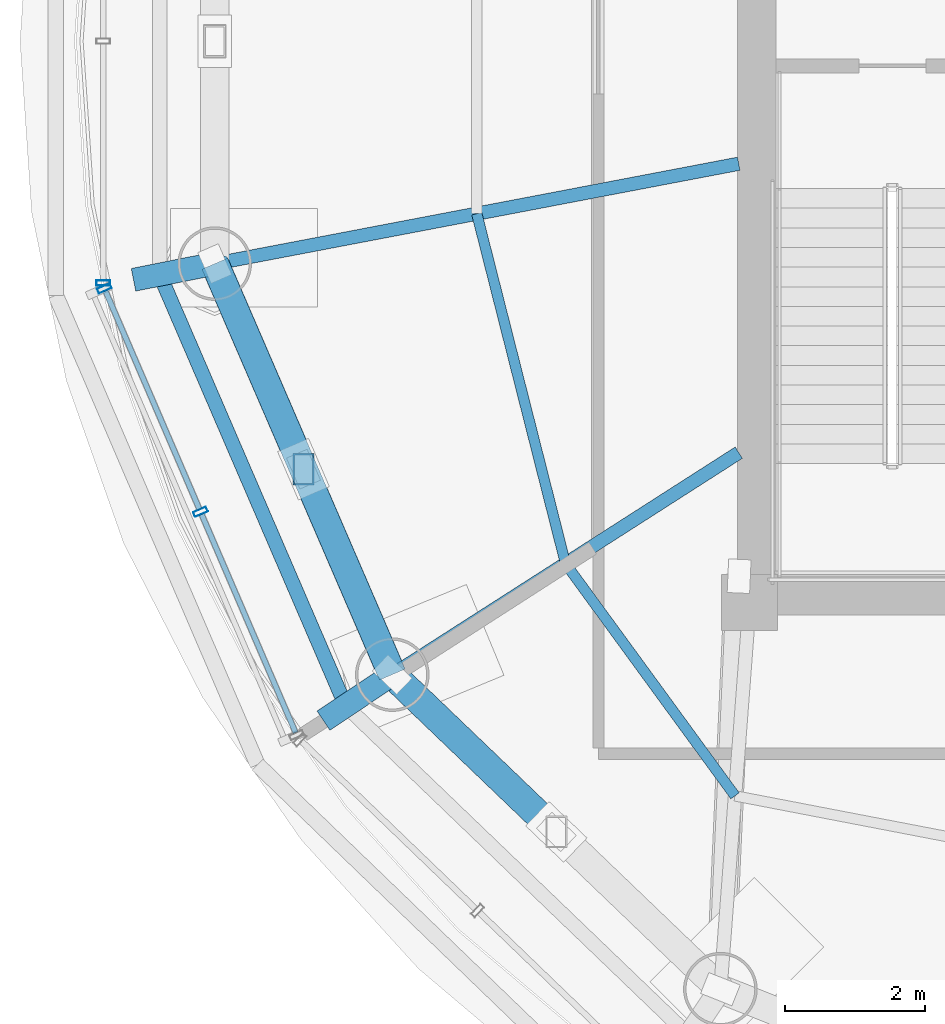
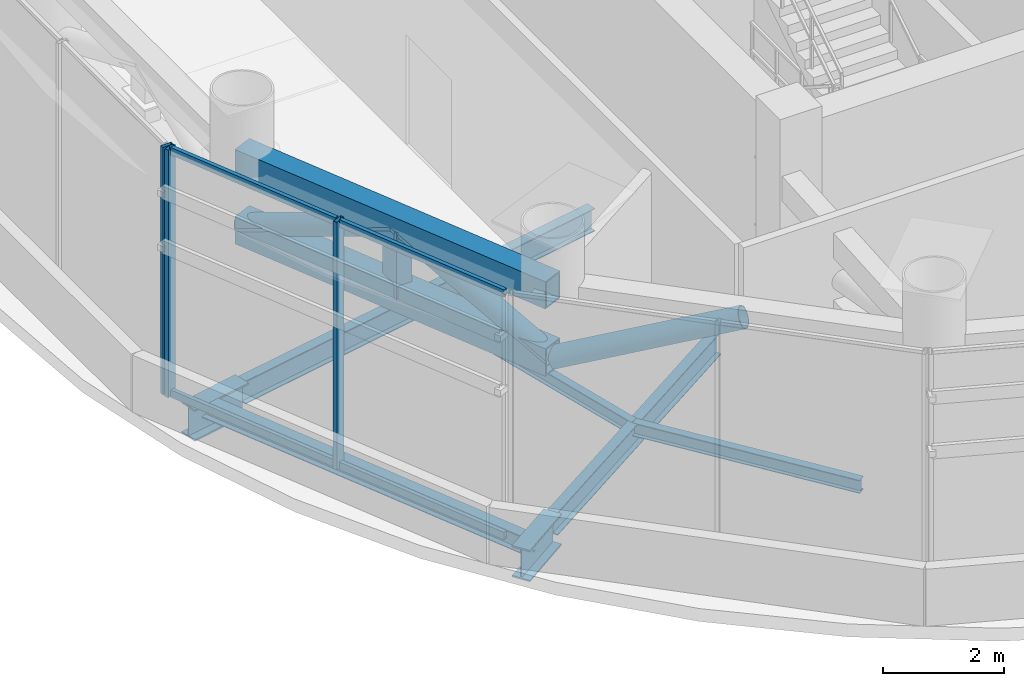
# One storey, part 3 of 21: 13 members, 7 beams, 2 elements without a shape of their own.
"""IFC4 building model written with IfcOpenShell, lengths in metres."""

import ifcopenshell
import ifcopenshell.guid

model = None  # the IFC model being written
_history = None  # IfcOwnerHistory: only IFC2X3 demands one
_inside = {}  # id of a spatial element -> (the spatial element, [elements in it])
_under = {}  # id of a project, library or spatial element -> (it, [spatial elements below it])
_declared = {}  # id of a project -> (the project, [libraries it declares])
_typed = {}  # id of a type object -> (the type object, [elements of that type])
_made_of = {}  # id of a material, layer set ... -> (it, [elements and type objects made of it])


def new_model(schema):
    """Start an empty IFC model of exactly this schema.

    Asked for "IFC4X3", IfcOpenShell would pick the latest addendum, in which some entities
    have other attributes; the version numbers below select the first issue.
    IFC2X3 requires an IfcOwnerHistory on every rooted entity: one is made here for all.
    """
    global model, _history
    if schema == "IFC4X3":
        model = ifcopenshell.file(schema_version=(4, 3, 0, 0))
    else:
        model = ifcopenshell.file(schema=schema)
    _inside.clear()
    _under.clear()
    _declared.clear()
    _typed.clear()
    _made_of.clear()
    _history = None
    if model.schema == "IFC2X3":
        org = make("IfcOrganization", Name="unknown")
        user = make(
            "IfcPersonAndOrganization",
            ThePerson=make("IfcPerson", FamilyName="unknown"),
            TheOrganization=org,
        )
        app = make(
            "IfcApplication",
            ApplicationDeveloper=org,
            Version="unknown",
            ApplicationFullName="unknown",
            ApplicationIdentifier="unknown",
        )
        _history = make(
            "IfcOwnerHistory",
            OwningUser=user,
            OwningApplication=app,
            ChangeAction="ADDED",
            CreationDate=0,
        )
    return model


def make(cls, **values):
    """One entity of the class cls with the attributes given. An attribute that is None is left unset."""
    return model.create_entity(
        cls, **{name: value for name, value in values.items() if value is not None}
    )


def rooted(cls, **values):
    """An entity with a GlobalId (a new one), such as an element, a storey or a relation."""
    return make(cls, GlobalId=ifcopenshell.guid.new(), OwnerHistory=_history, **values)


def si_unit(unit_type, name, prefix=None):
    """IfcSIUnit, for example si_unit("LENGTHUNIT", "METRE", prefix="MILLI")."""
    return make("IfcSIUnit", UnitType=unit_type, Prefix=prefix, Name=name)


def assignment(units):
    """IfcUnitAssignment: the units of a project."""
    return None if units is None else make("IfcUnitAssignment", Units=units)


def point(xyz):
    """IfcCartesianPoint."""
    return None if xyz is None else make("IfcCartesianPoint", Coordinates=xyz)


def direction(xyz):
    """IfcDirection."""
    return None if xyz is None else make("IfcDirection", DirectionRatios=xyz)


def frame(location, z_axis=None, x_axis=None):
    """IfcAxis2Placement3D, a coordinate frame: its origin and axes. An axis left out is left unset."""
    return make(
        "IfcAxis2Placement3D",
        Location=point(location),
        Axis=direction(z_axis),
        RefDirection=direction(x_axis),
    )


def frame_2d(location, x_axis=None):
    """IfcAxis2Placement2D, a coordinate frame in the plane: its origin and x axis."""
    return make(
        "IfcAxis2Placement2D", Location=point(location), RefDirection=direction(x_axis)
    )


def origin():
    """The frame at (0, 0, 0) with its axes left unset."""
    return frame((0.0, 0.0, 0.0))


def origin_2d():
    """The frame at (0, 0) in the plane with its x axis left unset."""
    return frame_2d((0.0, 0.0))


def place(relative_to, where):
    """IfcLocalPlacement: puts the frame where relative to a parent placement (None: the world)."""
    return make(
        "IfcLocalPlacement", PlacementRelTo=relative_to, RelativePlacement=where
    )


def context(
    kind, dimensions, precision=None, world=None, true_north=None, identifier=None
):
    """IfcGeometricRepresentationContext, for example the 3D "Model" context."""
    return make(
        "IfcGeometricRepresentationContext",
        ContextIdentifier=identifier,
        ContextType=kind,
        CoordinateSpaceDimension=dimensions,
        Precision=precision,
        WorldCoordinateSystem=world,
        TrueNorth=true_north,
    )


def subcontext(parent, identifier, kind, view, scale=None):
    """IfcGeometricRepresentationSubContext, for example "Body" below "Model"."""
    return make(
        "IfcGeometricRepresentationSubContext",
        ContextIdentifier=identifier,
        ContextType=kind,
        ParentContext=parent,
        TargetScale=scale,
        TargetView=view,
    )


def project(units=None, contexts=None):
    """IfcProject with its units and contexts."""
    return rooted(
        "IfcProject",
        Name="project",
        RepresentationContexts=contexts,
        UnitsInContext=assignment(units),
    )


def spatial(cls, under=None, at=None, **own):
    """A site, building, storey or space (cls), placed at a placement, below another one or the project."""
    s = rooted(cls, ObjectPlacement=at, **own)
    if under is not None:
        _under.setdefault(under.id(), (under, []))[1].append(s)
    return s


def profile(cls, at=None, kind="AREA", **sizes):
    """A parametric profile (cls). Its sizes go by their IFC names, for example OverallWidth=200.0."""
    return make(cls, ProfileType=kind, Position=at, **sizes)


def hollow_rectangle(**sizes):
    """IfcRectangleHollowProfileDef."""
    return profile("IfcRectangleHollowProfileDef", **sizes)


def hollow_circle(**sizes):
    """IfcCircleHollowProfileDef."""
    return profile("IfcCircleHollowProfileDef", **sizes)


def i_section(**sizes):
    """IfcIShapeProfileDef."""
    return profile("IfcIShapeProfileDef", **sizes)


def extrude(swept, where, along, depth):
    """IfcExtrudedAreaSolid: the profile swept, set in the frame where, extruded along a direction by depth."""
    return make(
        "IfcExtrudedAreaSolid",
        SweptArea=swept,
        Position=where,
        ExtrudedDirection=direction(along),
        Depth=depth,
    )


def shape(context_of_items, identifier, shape_type, items):
    """IfcShapeRepresentation: the items that make up one representation, for example the "Body"."""
    return make(
        "IfcShapeRepresentation",
        ContextOfItems=context_of_items,
        RepresentationIdentifier=identifier,
        RepresentationType=shape_type,
        Items=items,
    )


def source(mapping_origin, context_of_items, identifier, shape_type, items):
    """IfcRepresentationMap: a shape defined once, which mapped items show again and again."""
    return make(
        "IfcRepresentationMap",
        MappingOrigin=mapping_origin,
        MappedRepresentation=shape(context_of_items, identifier, shape_type, items),
    )


def transform(
    local_origin,
    x_axis=None,
    y_axis=None,
    z_axis=None,
    scale=None,
    scale2=None,
    scale3=None,
    uniform=True,
):
    """IfcCartesianTransformationOperator3D, or its non-uniform kind. x_axis, y_axis, z_axis: its Axis1, 2, 3."""
    if uniform:
        return make(
            "IfcCartesianTransformationOperator3D",
            Axis1=direction(x_axis),
            Axis2=direction(y_axis),
            LocalOrigin=point(local_origin),
            Scale=scale,
            Axis3=direction(z_axis),
        )
    return make(
        "IfcCartesianTransformationOperator3DnonUniform",
        Axis1=direction(x_axis),
        Axis2=direction(y_axis),
        LocalOrigin=point(local_origin),
        Scale=scale,
        Axis3=direction(z_axis),
        Scale2=scale2,
        Scale3=scale3,
    )


def mapped(mapping_source, mapping_target):
    """IfcMappedItem: shows the shape of a source again, moved by a transform."""
    return make(
        "IfcMappedItem", MappingSource=mapping_source, MappingTarget=mapping_target
    )


def material(Name=None, Category=None):
    """IfcMaterial."""
    return make("IfcMaterial", Name=Name, Category=Category)


def material_profile(
    of_material, cross_section, Name=None, Category=None, Priority=None
):
    """IfcMaterialProfile: a cross section and its material."""
    return make(
        "IfcMaterialProfile",
        Name=Name,
        Material=of_material,
        Profile=cross_section,
        Priority=Priority,
        Category=Category,
    )


def profile_set(profiles, Name=None, composite=None):
    """IfcMaterialProfileSet."""
    return make(
        "IfcMaterialProfileSet",
        Name=Name,
        MaterialProfiles=profiles,
        CompositeProfile=composite,
    )


def made_of(thing, what):
    """Note that an element or type object is made of a material, layer set ...; save() writes the relation."""
    if what is not None:
        _made_of.setdefault(what.id(), (what, []))[1].append(thing)
    return thing


def type_object(cls, material=None, **own):
    """A type object (cls), such as IfcWallType, which elements share."""
    return made_of(rooted(cls, **own), material)


def element(
    cls,
    number,
    at=None,
    inside=None,
    cuts=None,
    type_object=None,
    material=None,
    context=None,
    identifier="Body",
    shape_type=None,
    held_by="IfcProductDefinitionShape",
    body=None,
    shapes=None,
    **own,
):
    """One element of the class cls, such as IfcWall. Its Tag is "e" and its number.

    at: its placement. inside: the storey or other place that contains it. cuts: it is an
    opening in that element (IfcRelVoidsElement). A single representation is given by context,
    identifier, shape_type and body (its items); several are given by shapes. held_by: the class
    of the entity that holds the representations. save() writes the other relations.
    """
    e = rooted(cls, Tag="e%d" % number, ObjectPlacement=at, **own)
    if body is not None:
        shapes = [shape(context, identifier, shape_type, body)]
    if shapes is not None:
        e.Representation = make(held_by, Representations=shapes)
    if inside is not None:
        _inside.setdefault(inside.id(), (inside, []))[1].append(e)
    if cuts is not None:
        rooted(
            "IfcRelVoidsElement", RelatingBuildingElement=cuts, RelatedOpeningElement=e
        )
    if type_object is not None:
        _typed.setdefault(type_object.id(), (type_object, []))[1].append(e)
    return made_of(e, material)


def aggregate(whole, parts):
    """IfcRelAggregates: a whole, such as a stair, and the parts it consists of."""
    return rooted("IfcRelAggregates", RelatingObject=whole, RelatedObjects=parts)


def save(model, path):
    """Write the relations noted so far, then the file.

    IfcRelAggregates (storeys below a building ...), IfcRelContainedInSpatialStructure (elements
    in a storey), IfcRelDefinesByType, IfcRelAssociatesMaterial and IfcRelDeclares: one each for
    every whole, place, type object, material and project.
    """
    for whole, parts in _under.values():
        aggregate(whole, parts)
    for where, things in _inside.values():
        rooted(
            "IfcRelContainedInSpatialStructure",
            RelatedElements=things,
            RelatingStructure=where,
        )
    for kind, things in _typed.values():
        rooted("IfcRelDefinesByType", RelatedObjects=things, RelatingType=kind)
    for what, things in _made_of.values():
        rooted("IfcRelAssociatesMaterial", RelatedObjects=things, RelatingMaterial=what)
    for by, libraries in _declared.values():
        rooted("IfcRelDeclares", RelatingContext=by, RelatedDefinitions=libraries)
    model.write(path)


model = new_model("IFC4")

# Units and contexts
model_context = context("Model", 3, precision=1e-05, world=origin(), true_north=direction((-0.2419218956, 0.970295726276)))
body_context = subcontext(model_context, "Body", "Model", "MODEL_VIEW")
ifc_project = project(units=[si_unit("LENGTHUNIT", "METRE"), si_unit("AREAUNIT", "SQUARE_METRE"), si_unit("VOLUMEUNIT", "CUBIC_METRE"), si_unit("PLANEANGLEUNIT", "RADIAN"), si_unit("MASSUNIT", "GRAM", prefix="KILO")], contexts=[model_context])

# Site, building, storey
site_placement = place(None, origin())
site = spatial("IfcSite", under=ifc_project, at=site_placement, CompositionType="ELEMENT")
building_placement = place(site_placement, origin())
building = spatial("IfcBuilding", under=site, at=building_placement, Name="Cobrevalo Terracotta Tower", CompositionType="ELEMENT")
storey_placement = place(building_placement, frame((0.0, 0.0, 300.699951171875)))
storey = spatial("IfcBuildingStorey", under=building, at=storey_placement, Name="L79", CompositionType="ELEMENT", Elevation=300.699951171875)

# Beams
ifc_material_1 = material(Name="Steel S355", Category="steel")
ifc_material_profile_1 = material_profile(ifc_material_1, i_section(OverallWidth=0.19091796875, OverallDepth=0.4599609375, WebThickness=0.010009765625, FlangeThickness=0.01611328125, at=origin_2d()), Name="W 460x82")
ifc_profile_set_1 = profile_set([ifc_material_profile_1], Name="Steel S355")
beam_type_1 = type_object("IfcBeamType", Name="Structural Beam W 460x82 (Steel S355)", PredefinedType="BEAM", material=ifc_profile_set_1)
beam_1_placement = place(storey_placement, frame((21.375732421875, 23.6298828125, -0.679931640625), z_axis=(0.982299763282, 0.187315709583, 0.0), x_axis=(-0.187315709583, 0.982299763282, 0.0)))
element("IfcBeam", 1, at=beam_1_placement, inside=storey, type_object=beam_type_1, Name="L79 radial floor girder 09", PredefinedType="BEAM", context=body_context, shape_type="SweptSolid", body=[
    extrude(i_section(OverallWidth=0.19091796875, OverallDepth=0.4599609375, WebThickness=0.010009765625, FlangeThickness=0.01611328125, at=origin_2d()), origin(), (0.0, 0.0, 1.0), 7.603759765625),
])
beam_2_placement = place(storey_placement, frame((23.906494140625, 17.77197265625, -0.679931640625), z_axis=(0.842043011216, 0.539410388538, 0.0), x_axis=(-0.539410388538, 0.842043011216, 0.0)))
element("IfcBeam", 2, at=beam_2_placement, inside=storey, type_object=beam_type_1, Name="L79 radial floor girder 10", PredefinedType="BEAM", context=body_context, shape_type="SweptSolid", body=[
    extrude(i_section(OverallWidth=0.19091796875, OverallDepth=0.4599609375, WebThickness=0.010009765625, FlangeThickness=0.01611328125, at=origin_2d()), origin(), (0.0, 0.0, 1.0), 5.864990234375),
])
ifc_material_profile_2 = material_profile(ifc_material_1, i_section(OverallWidth=0.3291015625, OverallDepth=0.635009765625, WebThickness=0.017822265625, FlangeThickness=0.031005859375, at=origin_2d()), Name="W 610x241")
ifc_profile_set_2 = profile_set([ifc_material_profile_2], Name="Steel S355")
beam_type_2 = type_object("IfcBeamType", Name="Structural Beam W 610x241 (Steel S355)", PredefinedType="BEAM", material=ifc_profile_set_2)
beam_3_placement = place(storey_placement, frame((20.21826171875, 23.399658203125, -0.767333984375), z_axis=(0.980787003584, 0.195081658802, 0.0), x_axis=(-0.195081658802, 0.980787003584, 0.0)))
element("IfcBeam", 3, at=beam_3_placement, inside=storey, type_object=beam_type_2, Name="L79 setback step-link girder 09", PredefinedType="BEAM", context=body_context, shape_type="SweptSolid", body=[
    extrude(i_section(OverallWidth=0.3291015625, OverallDepth=0.635009765625, WebThickness=0.017822265625, FlangeThickness=0.031005859375, at=origin_2d()), origin(), (0.0, 0.0, 1.0), 1.18017578125),
])
beam_4_placement = place(storey_placement, frame((22.925537109375, 17.116455078125, -0.767333984375), z_axis=(0.831444927207, 0.5556071751, 0.0), x_axis=(-0.5556071751, 0.831444927207, 0.0)))
element("IfcBeam", 4, at=beam_4_placement, inside=storey, type_object=beam_type_2, Name="L79 setback step-link girder 10", PredefinedType="BEAM", context=body_context, shape_type="SweptSolid", body=[
    extrude(i_section(OverallWidth=0.3291015625, OverallDepth=0.635009765625, WebThickness=0.017822265625, FlangeThickness=0.031005859375, at=origin_2d()), origin(), (0.0, 0.0, 1.0), 1.179931640625),
])
ifc_material_profile_3 = material_profile(ifc_material_1, i_section(OverallWidth=0.14794921875, OverallDepth=0.26611328125, WebThickness=0.007568359375, FlangeThickness=0.012939453125, at=origin_2d()), Name="W 250x44.8")
ifc_profile_set_3 = profile_set([ifc_material_profile_3], Name="Steel S355")
beam_type_3 = type_object("IfcBeamType", Name="Structural Joist W 250x44.8 (Steel S355)", PredefinedType="JOIST", material=ifc_profile_set_3)
beam_5_placement = place(storey_placement, frame((25.1103515625, 24.342041015625, -0.5830078125), z_axis=(0.24588290489, -0.969299539401, 0.0), x_axis=(0.969299539401, 0.24588290489, 0.0)))
element("IfcBeam", 5, at=beam_5_placement, inside=storey, type_object=beam_type_3, Name="L79 circumferential secondary floor joist 09", PredefinedType="JOIST", context=body_context, shape_type="SweptSolid", body=[
    extrude(i_section(OverallWidth=0.14794921875, OverallDepth=0.26611328125, WebThickness=0.007568359375, FlangeThickness=0.012939453125, at=origin_2d()), origin(), (0.0, 0.0, 1.0), 5.146240234375),
])
beam_6_placement = place(storey_placement, frame((26.375732421875, 19.353759765625, -0.5830078125), z_axis=(0.58957729745, -0.807711960003, 0.0), x_axis=(0.807711960003, 0.58957729745, 0.0)))
element("IfcBeam", 6, at=beam_6_placement, inside=storey, type_object=beam_type_3, Name="L79 circumferential secondary floor joist 10", PredefinedType="JOIST", context=body_context, shape_type="SweptSolid", body=[
    extrude(i_section(OverallWidth=0.14794921875, OverallDepth=0.26611328125, WebThickness=0.007568359375, FlangeThickness=0.012939453125, at=origin_2d()), origin(), (0.0, 0.0, 1.0), 4.097412109375),
])
ifc_material_profile_4 = material_profile(ifc_material_1, i_section(OverallWidth=0.205078125, OverallDepth=0.35400390625, WebThickness=0.009521484375, FlangeThickness=0.016845703125, at=origin_2d()), Name="W 360x79")
ifc_profile_set_4 = profile_set([ifc_material_profile_4], Name="Steel S355")
beam_type_4 = type_object("IfcBeamType", Name="Structural Spandrel W 360x79 (Steel S355)", PredefinedType="SPANDREL", material=ifc_profile_set_4)
beam_7_placement = place(storey_placement, frame((20.591064453125, 23.4736328125, -0.626953125), z_axis=(0.395987390706, -0.918255948198, 0.0), x_axis=(0.918255948198, 0.395987390706, 0.0)))
element("IfcBeam", 7, at=beam_7_placement, inside=storey, type_object=beam_type_4, Name="L79 perimeter ring spandrel 09", PredefinedType="SPANDREL", context=body_context, shape_type="SweptSolid", body=[
    extrude(i_section(OverallWidth=0.205078125, OverallDepth=0.35400390625, WebThickness=0.009521484375, FlangeThickness=0.016845703125, at=origin_2d()), origin(), (0.0, 0.0, 1.0), 6.693115234375),
])

# Members
ifc_material_profile_5 = material_profile(ifc_material_1, hollow_rectangle(XDim=0.39990234375, YDim=0.550048828125, WallThickness=0.02490234375, at=origin_2d()), Name="RHS 550x400x25")
ifc_profile_set_5 = profile_set([ifc_material_profile_5], Name="Steel S355")
member_type_1 = type_object("IfcMemberType", Name="Steel Chord RHS 550x400x25 (Steel S355)", PredefinedType="CHORD", material=ifc_profile_set_5)
shared_shape_1 = source(origin(), body_context, "Body", "SweptSolid", [
    extrude(hollow_rectangle(XDim=0.39990234375, YDim=0.550048828125, WallThickness=0.02490234375, at=origin_2d()), origin(), (0.0, 0.0, 1.0), 6.381103515625),
])
for number, where, z_axis, x_axis, name in (
    (8, (21.375732421875, 23.6298828125, 2.650146484375), (0.396595776552, -0.917993349661, 0.0), (0.917993349661, 0.396595776552, 0.0), "L79 belt truss chord 09-BC"),
    (9, (21.375732421875, 23.6298828125, 4.0), (0.396595776552, -0.917993349661, 0.0), (0.917993349661, 0.396595776552, 0.0), "L79 belt truss chord 09-TC"),
):
    element("IfcMember", number, at=place(storey_placement, frame(where, z_axis=z_axis, x_axis=x_axis)), inside=storey, type_object=member_type_1, Name=name, PredefinedType="CHORD", context=body_context, shape_type="MappedRepresentation", body=[
        mapped(shared_shape_1, transform((0.0, 0.0, 0.0), scale=1.0)),
    ])
ifc_material_profile_6 = material_profile(ifc_material_1, hollow_rectangle(XDim=0.300048828125, YDim=0.449951171875, WallThickness=0.02001953125, at=origin_2d()), Name="RHS 450x300x20")
ifc_profile_set_6 = profile_set([ifc_material_profile_6], Name="Steel S355")
member_type_2 = type_object("IfcMemberType", Name="Steel Post RHS 450x300x20 (Steel S355)", PredefinedType="POST", material=ifc_profile_set_6)
shared_shape_2 = source(origin(), body_context, "Body", "SweptSolid", [
    extrude(hollow_rectangle(XDim=0.300048828125, YDim=0.449951171875, WallThickness=0.02001953125, at=origin_2d()), origin(), (0.0, 0.0, 1.0), 1.349853515625),
])
member_1_placement = place(storey_placement, frame((22.64111328125, 20.700927734375, 2.650146484375), z_axis=(0.0, 0.0, 1.0), x_axis=(1.0, 0.0, 0.0)))
element("IfcMember", 10, at=member_1_placement, inside=storey, type_object=member_type_2, Name="L79 belt truss post 09", PredefinedType="POST", context=body_context, shape_type="MappedRepresentation", body=[
    mapped(shared_shape_2, transform((0.0, 0.0, 0.0), scale=1.0)),
])
ifc_material_profile_7 = material_profile(ifc_material_1, hollow_circle(Radius=0.202880859375, WallThickness=0.01611328125, at=origin_2d()), Name="CHS 406x16")
ifc_profile_set_7 = profile_set([ifc_material_profile_7], Name="Steel S355")
member_type_3 = type_object("IfcMemberType", Name="Steel Brace CHS 406x16 (Steel S355)", PredefinedType="BRACE", material=ifc_profile_set_7)
shared_shape_3 = source(origin(), body_context, "Body", "SweptSolid", [
    extrude(hollow_circle(Radius=0.202880859375, WallThickness=0.01611328125, at=origin_2d()), origin(), (0.0, 0.0, 1.0), 3.46435546875),
])
for number, where, z_axis, x_axis, name in (
    (11, (21.375732421875, 23.6298828125, 2.650146484375), (0.365252471752, -0.845443546905, 0.389635523117), (0.917993349661, 0.396595776552, 0.0), "L79 belt truss diagonal brace 09-D1"),
    (12, (23.906494140625, 17.77197265625, 2.650146484375), (-0.365252471752, 0.845443546905, 0.389635523117), (-0.917993349661, -0.396595776552, 0.0), "L79 belt truss diagonal brace 09-D2"),
):
    element("IfcMember", number, at=place(storey_placement, frame(where, z_axis=z_axis, x_axis=x_axis)), inside=storey, type_object=member_type_3, Name=name, PredefinedType="BRACE", context=body_context, shape_type="MappedRepresentation", body=[
        mapped(shared_shape_3, transform((0.0, 0.0, 0.0), scale=1.0)),
    ])
shared_shape_4 = source(origin(), body_context, "Body", "SweptSolid", [
    extrude(hollow_circle(Radius=0.202880859375, WallThickness=0.01611328125, at=origin_2d()), origin(), (0.0, 0.0, 1.0), 3.50927734375),
])
member_2_placement = place(storey_placement, frame((23.906494140625, 17.77197265625, 2.650146484375), z_axis=(0.66633366486, -0.638784267148, 0.384648030175), x_axis=(0.692026487512, 0.721872108189, 0.0)))
element("IfcMember", 13, at=member_2_placement, inside=storey, type_object=member_type_3, Name="L79 belt truss diagonal brace 10-D1", PredefinedType="BRACE", context=body_context, shape_type="MappedRepresentation", body=[
    mapped(shared_shape_4, transform((0.0, 0.0, 0.0), scale=1.0)),
])

# Curtain wall, member
ifc_material_2 = material(Name="Anodized aluminium", Category="aluminium")
curtain_wall_type = type_object("IfcCurtainWallType", Name="Belt-truss plant acoustic weather-louvre curtain wall CW-LV", PredefinedType="NOTDEFINED", material=ifc_material_2)
curtain_wall_1_placement = place(storey_placement, origin())
curtain_wall_1 = element("IfcCurtainWall", 14, at=curtain_wall_1_placement, inside=storey, type_object=curtain_wall_type, Name="L79 curtain wall CW-LV-L79-S08", PredefinedType="NOTDEFINED")
ifc_material_profile_8 = material_profile(ifc_material_2, hollow_rectangle(XDim=0.074951171875, YDim=0.199951171875, WallThickness=0.0048828125, at=origin_2d()), Name="CWM 75x200")
ifc_profile_set_8 = profile_set([ifc_material_profile_8], Name="Anodized aluminium")
member_type_4 = type_object("IfcMemberType", Name="Lower/mid tower unitised mullion 75x200", PredefinedType="MULLION", material=ifc_profile_set_8)
shared_shape_5 = source(origin(), body_context, "Body", "SweptSolid", [
    extrude(hollow_rectangle(XDim=0.074951171875, YDim=0.199951171875, WallThickness=0.0048828125, at=origin_2d()), origin(), (0.0, 0.0, 1.0), 4.97998046875),
])
member_3_placement = place(storey_placement, frame((19.786865234375, 23.353759765625, 0.0), z_axis=(0.0, 0.0, 1.0), x_axis=(0.0, -1.0, 0.0)))
member_3 = element("IfcMember", 15, at=member_3_placement, type_object=member_type_4, Name="CW-LV-L79-S08 vertical mullion 03", PredefinedType="MULLION", context=body_context, shape_type="MappedRepresentation", body=[
    mapped(shared_shape_5, transform((0.0, 0.0, 0.0), scale=1.0)),
])
aggregate(curtain_wall_1, [member_3])

# Curtain wall, members
curtain_wall_2_placement = place(storey_placement, origin())
curtain_wall_2 = element("IfcCurtainWall", 16, at=curtain_wall_2_placement, inside=storey, type_object=curtain_wall_type, Name="L79 curtain wall CW-LV-L79-S09", PredefinedType="NOTDEFINED")
member_4_placement = place(storey_placement, frame((19.802734375, 23.277099609375, 0.0), z_axis=(0.0, 0.0, 1.0), x_axis=(0.395369166227, -0.918522303701, 0.0)))
member_4 = element("IfcMember", 17, at=member_4_placement, type_object=member_type_4, Name="CW-LV-L79-S09 vertical mullion 01", PredefinedType="MULLION", context=body_context, shape_type="MappedRepresentation", body=[
    mapped(shared_shape_5, transform((0.0, 0.0, 0.0), scale=1.0)),
])
member_5_placement = place(storey_placement, frame((21.173095703125, 20.0927734375, 0.0), z_axis=(0.0, 0.0, 1.0), x_axis=(0.395369166227, -0.918522303701, 0.0)))
member_5 = element("IfcMember", 18, at=member_5_placement, type_object=member_type_4, Name="CW-LV-L79-S09 vertical mullion 02", PredefinedType="MULLION", context=body_context, shape_type="MappedRepresentation", body=[
    mapped(shared_shape_5, transform((0.0, 0.0, 0.0), scale=1.0)),
])
ifc_material_profile_9 = material_profile(ifc_material_2, hollow_rectangle(XDim=0.074951171875, YDim=0.14990234375, WallThickness=0.00439453125, at=origin_2d()), Name="CWT 75x150")
ifc_profile_set_9 = profile_set([ifc_material_profile_9], Name="Anodized aluminium")
member_type_5 = type_object("IfcMemberType", Name="Tower unitised aluminium transom 75x150", PredefinedType="USERDEFINED", material=ifc_profile_set_9)
shared_shape_6 = source(origin(), body_context, "Body", "SweptSolid", [
    extrude(hollow_rectangle(XDim=0.074951171875, YDim=0.14990234375, WallThickness=0.00439453125, at=origin_2d()), origin(), (0.0, 0.0, 1.0), 3.386474609375),
])
member_6_placement = place(storey_placement, frame((19.818359375, 23.240234375, 0.050048828125), z_axis=(0.395415271574, -0.918502456723, 0.0), x_axis=(0.918502456723, 0.395415271574, 0.0)))
member_6 = element("IfcMember", 19, at=member_6_placement, type_object=member_type_5, Name="CW-LV-L79-S09 transom B01-T1", ObjectType="TRANSOM", PredefinedType="USERDEFINED", context=body_context, shape_type="MappedRepresentation", body=[
    mapped(shared_shape_6, transform((0.0, 0.0, 0.0), scale=1.0)),
])
member_7_placement = place(storey_placement, frame((19.818359375, 23.240234375, 4.929931640625), z_axis=(0.395415271574, -0.918502456723, 0.0), x_axis=(0.918502456723, 0.395415271574, 0.0)))
member_7 = element("IfcMember", 20, at=member_7_placement, type_object=member_type_5, Name="CW-LV-L79-S09 transom B01-T2", ObjectType="TRANSOM", PredefinedType="USERDEFINED", context=body_context, shape_type="MappedRepresentation", body=[
    mapped(shared_shape_6, transform((0.0, 0.0, 0.0), scale=1.0)),
])
member_8_placement = place(storey_placement, frame((21.18896484375, 20.05615234375, 0.050048828125), z_axis=(0.395415271574, -0.918502456723, 0.0), x_axis=(0.918502456723, 0.395415271574, 0.0)))
member_8 = element("IfcMember", 21, at=member_8_placement, type_object=member_type_5, Name="CW-LV-L79-S09 transom B02-T1", ObjectType="TRANSOM", PredefinedType="USERDEFINED", context=body_context, shape_type="MappedRepresentation", body=[
    mapped(shared_shape_6, transform((0.0, 0.0, 0.0), scale=1.0)),
])
member_9_placement = place(storey_placement, frame((21.18896484375, 20.05615234375, 4.929931640625), z_axis=(0.395415271574, -0.918502456723, 0.0), x_axis=(0.918502456723, 0.395415271574, 0.0)))
member_9 = element("IfcMember", 22, at=member_9_placement, type_object=member_type_5, Name="CW-LV-L79-S09 transom B02-T2", ObjectType="TRANSOM", PredefinedType="USERDEFINED", context=body_context, shape_type="MappedRepresentation", body=[
    mapped(shared_shape_6, transform((0.0, 0.0, 0.0), scale=1.0)),
])
aggregate(curtain_wall_2, [member_4, member_5, member_6, member_7, member_8, member_9])

save(model, "model.ifc")
